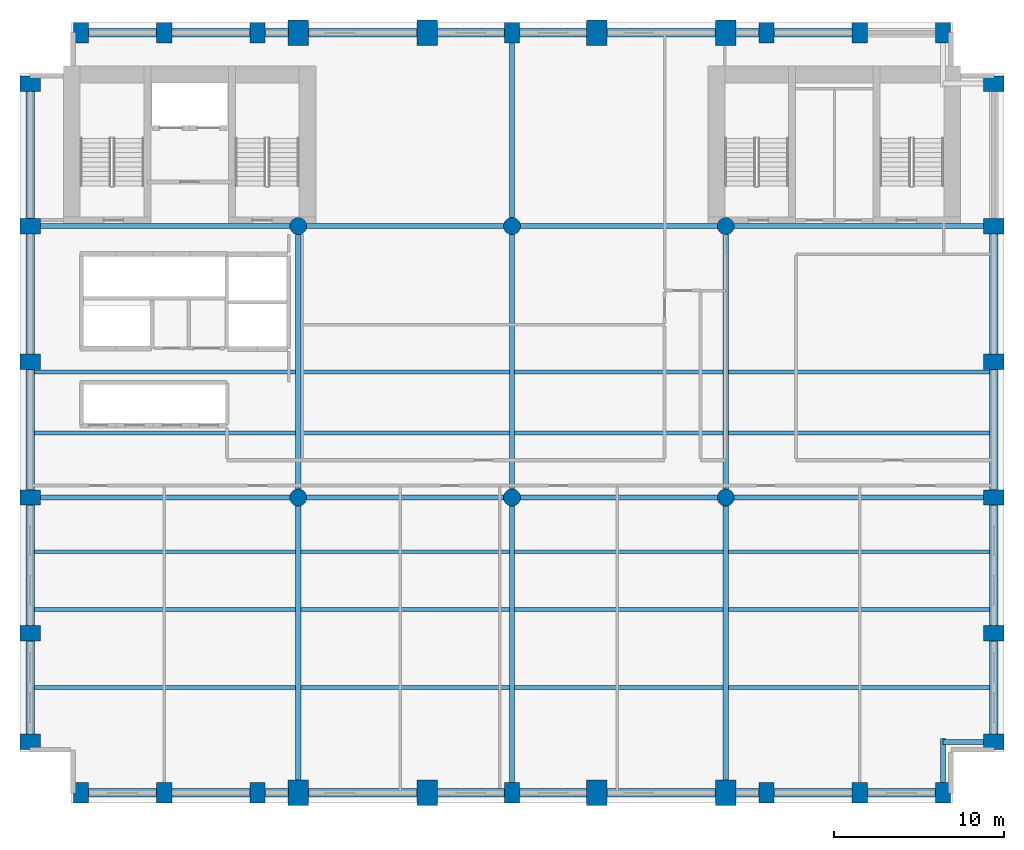
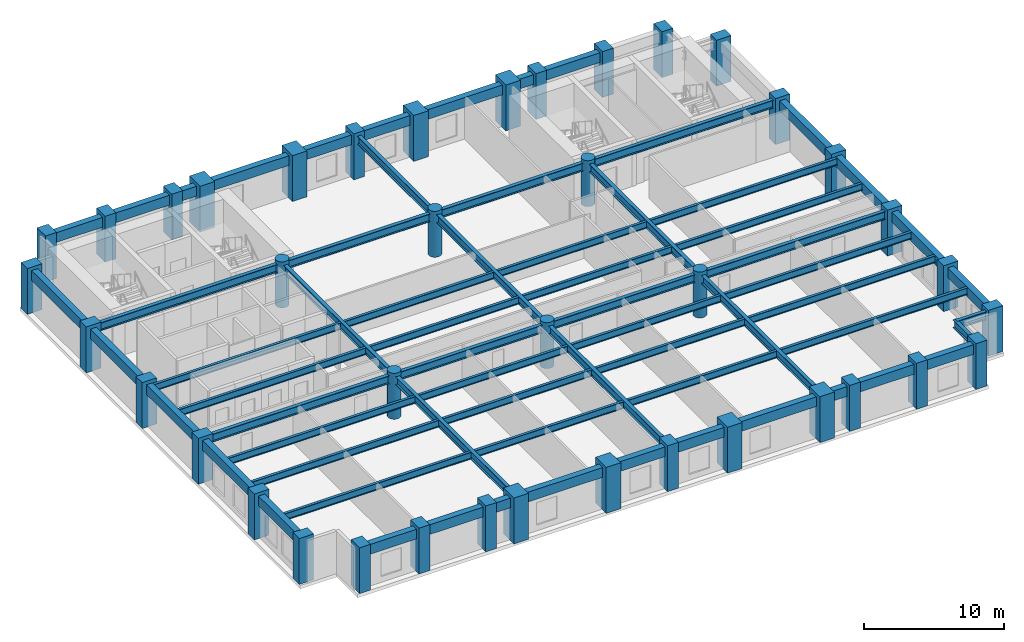
# One storey, part 1 of 8: 65 beams, 40 columns.
"""IFC4 building model written with IfcOpenShell, lengths in metres."""

from ifc_helpers import new_model, si_unit, direction, frame, origin, origin_2d, place, context, subcontext, project, spatial, rectangle, circle, i_section, extrude, material, material_profile, profile_set, type_object, element, save


model = new_model("IFC4")

# Units and contexts
model_context = context("Model", 3, precision=1e-05, world=origin(), true_north=direction((0.0, 1.0)))
body_context = subcontext(model_context, "Body", "Model", "MODEL_VIEW")
ifc_project = project(units=[si_unit("LENGTHUNIT", "METRE"), si_unit("AREAUNIT", "SQUARE_METRE"), si_unit("VOLUMEUNIT", "CUBIC_METRE"), si_unit("PLANEANGLEUNIT", "RADIAN"), si_unit("MASSUNIT", "GRAM", prefix="KILO")], contexts=[model_context])

# Site, building, storey
site_placement = place(None, origin())
site = spatial("IfcSite", under=ifc_project, at=site_placement, CompositionType="ELEMENT")
building_placement = place(site_placement, origin())
building = spatial("IfcBuilding", under=site, at=building_placement, Name="Sulina Concourse Tower", CompositionType="ELEMENT")
storey_placement = place(building_placement, frame((0.0, 0.0, 70.60009765625)))
storey = spatial("IfcBuildingStorey", under=building, at=storey_placement, Name="L17", CompositionType="ELEMENT", Elevation=70.60009765625)

# Columns
ifc_material_1 = material(Name="Concrete C60/75", Category="concrete")
ifc_material_profile_1 = material_profile(ifc_material_1, circle(Radius=0.5, at=origin_2d()), Name="RC D1000")
ifc_profile_set_1 = profile_set([ifc_material_profile_1], Name="Concrete C60/75")
column_type_1 = type_object("IfcColumnType", Name="Lower Interior Circular Column D1000", PredefinedType="COLUMN", material=ifc_profile_set_1)
for number, where, z_axis, x_axis, name in (
    (1, (16.39990234375, 18.0, 0.0), (0.0, 0.0, 1.0), (1.0, 0.0, 0.0), "L17 structural column IC-M-164"),
    (2, (16.39990234375, 34.0, 0.0), (0.0, 0.0, 1.0), (1.0, 0.0, 0.0), "L17 structural column IC-N-164"),
    (3, (29.0, 18.0, 0.0), (0.0, 0.0, 1.0), (1.0, 0.0, 0.0), "L17 structural column IC-M-290"),
    (4, (29.0, 34.0, 0.0), (0.0, 0.0, 1.0), (1.0, 0.0, 0.0), "L17 structural column IC-N-290"),
    (5, (41.60009765625, 18.0, 0.0), (0.0, 0.0, 1.0), (1.0, 0.0, 0.0), "L17 structural column IC-M-416"),
    (6, (41.60009765625, 34.0, 0.0), (0.0, 0.0, 1.0), (1.0, 0.0, 0.0), "L17 structural column IC-N-416"),
):
    element("IfcColumn", number, at=place(storey_placement, frame(where, z_axis=z_axis, x_axis=x_axis)), inside=storey, type_object=column_type_1, Name=name, PredefinedType="COLUMN", context=body_context, shape_type="SweptSolid", body=[
        extrude(circle(Radius=0.5, at=origin_2d()), origin(), (0.0, 0.0, 1.0), 4.0),
    ])
ifc_material_2 = material(Name="Concrete C80/95", Category="concrete")
ifc_material_profile_2 = material_profile(ifc_material_2, rectangle(XDim=1.199951171875, YDim=1.5, at=origin_2d()), Name="RC 1200x1500")
ifc_profile_set_2 = profile_set([ifc_material_profile_2], Name="Concrete C80/95")
column_type_2 = type_object("IfcColumnType", Name="Lower Portal End-Leg Column 1200x1500", PredefinedType="COLUMN", material=ifc_profile_set_2)
for number, where, z_axis, x_axis, name in (
    (7, (16.39990234375, 0.60009765625, 0.0), (0.0, 0.0, 1.0), (1.0, 0.0, 0.0), "L17 structural column TP-S-164"),
    (8, (16.39990234375, 45.39990234375, 0.0), (0.0, 0.0, 1.0), (1.0, 0.0, 0.0), "L17 structural column TP-N-164"),
    (9, (24.0, 0.60009765625, 0.0), (0.0, 0.0, 1.0), (1.0, 0.0, 0.0), "L17 structural column TP-S-240"),
    (10, (24.0, 45.39990234375, 0.0), (0.0, 0.0, 1.0), (1.0, 0.0, 0.0), "L17 structural column TP-N-240"),
    (11, (34.0, 0.60009765625, 0.0), (0.0, 0.0, 1.0), (1.0, 0.0, 0.0), "L17 structural column TP-S-340"),
    (12, (34.0, 45.39990234375, 0.0), (0.0, 0.0, 1.0), (1.0, 0.0, 0.0), "L17 structural column TP-N-340"),
    (13, (41.60009765625, 0.60009765625, 0.0), (0.0, 0.0, 1.0), (1.0, 0.0, 0.0), "L17 structural column TP-S-416"),
    (14, (41.60009765625, 45.39990234375, 0.0), (0.0, 0.0, 1.0), (1.0, 0.0, 0.0), "L17 structural column TP-N-416"),
):
    element("IfcColumn", number, at=place(storey_placement, frame(where, z_axis=z_axis, x_axis=x_axis)), inside=storey, type_object=column_type_2, Name=name, PredefinedType="COLUMN", context=body_context, shape_type="SweptSolid", body=[
        extrude(rectangle(XDim=1.199951171875, YDim=1.5, at=origin_2d()), origin(), (0.0, 0.0, 1.0), 4.0),
    ])
ifc_material_3 = material(Name="Precast concrete C60/75", Category="concrete")
ifc_material_profile_3 = material_profile(ifc_material_3, rectangle(XDim=0.89990234375, YDim=1.199951171875, at=origin_2d()), Name="PC 900x1200")
ifc_profile_set_3 = profile_set([ifc_material_profile_3], Name="Precast concrete C60/75")
column_type_3 = type_object("IfcColumnType", Name="Precast Tube Pier Zone 1 900x1200", PredefinedType="COLUMN", material=ifc_profile_set_3)
for number, where, z_axis, x_axis, name in (
    (15, (3.60009765625, 0.60009765625, 0.0), (0.0, 0.0, 1.0), (1.0, 0.0, 0.0), "L17 structural column TP-S-36"),
    (16, (3.60009765625, 45.39990234375, 0.0), (0.0, 0.0, 1.0), (1.0, 0.0, 0.0), "L17 structural column TP-N-36"),
    (17, (8.5, 0.60009765625, 0.0), (0.0, 0.0, 1.0), (1.0, 0.0, 0.0), "L17 structural column TP-S-85"),
    (18, (8.5, 45.39990234375, 0.0), (0.0, 0.0, 1.0), (1.0, 0.0, 0.0), "L17 structural column TP-N-85"),
    (19, (14.0, 0.60009765625, 0.0), (0.0, 0.0, 1.0), (1.0, 0.0, 0.0), "L17 structural column TP-S-140"),
    (20, (14.0, 45.39990234375, 0.0), (0.0, 0.0, 1.0), (1.0, 0.0, 0.0), "L17 structural column TP-N-140"),
    (21, (29.0, 0.60009765625, 0.0), (0.0, 0.0, 1.0), (1.0, 0.0, 0.0), "L17 structural column TP-S-290"),
    (22, (29.0, 45.39990234375, 0.0), (0.0, 0.0, 1.0), (1.0, 0.0, 0.0), "L17 structural column TP-N-290"),
    (23, (44.0, 0.60009765625, 0.0), (0.0, 0.0, 1.0), (1.0, 0.0, 0.0), "L17 structural column TP-S-440"),
    (24, (44.0, 45.39990234375, 0.0), (0.0, 0.0, 1.0), (1.0, 0.0, 0.0), "L17 structural column TP-N-440"),
    (25, (49.5, 0.60009765625, 0.0), (0.0, 0.0, 1.0), (1.0, 0.0, 0.0), "L17 structural column TP-S-495"),
    (26, (49.5, 45.39990234375, 0.0), (0.0, 0.0, 1.0), (1.0, 0.0, 0.0), "L17 structural column TP-N-495"),
    (27, (54.39990234375, 0.60009765625, 0.0), (0.0, 0.0, 1.0), (1.0, 0.0, 0.0), "L17 structural column TP-S-544"),
    (28, (54.39990234375, 45.39990234375, 0.0), (0.0, 0.0, 1.0), (1.0, 0.0, 0.0), "L17 structural column TP-N-544"),
    (29, (0.60009765625, 3.60009765625, 0.0), (0.0, 0.0, 1.0), (0.0, 1.0, 0.0), "L17 structural column TP-W-36"),
    (30, (57.39990234375, 3.60009765625, 0.0), (0.0, 0.0, 1.0), (0.0, 1.0, 0.0), "L17 structural column TP-E-36"),
    (31, (0.60009765625, 10.0, 0.0), (0.0, 0.0, 1.0), (0.0, 1.0, 0.0), "L17 structural column TP-W-100"),
    (32, (57.39990234375, 10.0, 0.0), (0.0, 0.0, 1.0), (0.0, 1.0, 0.0), "L17 structural column TP-E-100"),
    (33, (0.60009765625, 18.0, 0.0), (0.0, 0.0, 1.0), (0.0, 1.0, 0.0), "L17 structural column TP-W-180"),
    (34, (57.39990234375, 18.0, 0.0), (0.0, 0.0, 1.0), (0.0, 1.0, 0.0), "L17 structural column TP-E-180"),
    (35, (0.60009765625, 26.0, 0.0), (0.0, 0.0, 1.0), (0.0, 1.0, 0.0), "L17 structural column TP-W-260"),
    (36, (57.39990234375, 26.0, 0.0), (0.0, 0.0, 1.0), (0.0, 1.0, 0.0), "L17 structural column TP-E-260"),
    (37, (0.60009765625, 34.0, 0.0), (0.0, 0.0, 1.0), (0.0, 1.0, 0.0), "L17 structural column TP-W-340"),
    (38, (57.39990234375, 34.0, 0.0), (0.0, 0.0, 1.0), (0.0, 1.0, 0.0), "L17 structural column TP-E-340"),
    (39, (0.60009765625, 42.39990234375, 0.0), (0.0, 0.0, 1.0), (0.0, 1.0, 0.0), "L17 structural column TP-W-424"),
    (40, (57.39990234375, 42.39990234375, 0.0), (0.0, 0.0, 1.0), (0.0, 1.0, 0.0), "L17 structural column TP-E-424"),
):
    element("IfcColumn", number, at=place(storey_placement, frame(where, z_axis=z_axis, x_axis=x_axis)), inside=storey, type_object=column_type_3, Name=name, PredefinedType="COLUMN", context=body_context, shape_type="SweptSolid", body=[
        extrude(rectangle(XDim=0.89990234375, YDim=1.199951171875, at=origin_2d()), origin(), (0.0, 0.0, 1.0), 4.0),
    ])

# Beams
ifc_material_4 = material(Name="Steel S355", Category="steel")
ifc_material_profile_4 = material_profile(ifc_material_4, i_section(OverallWidth=0.219970703125, OverallDepth=0.60009765625, WebThickness=0.011962890625, FlangeThickness=0.01904296875, at=origin_2d()), Name="IPE 600")
ifc_profile_set_4 = profile_set([ifc_material_profile_4], Name="Steel S355")
beam_type_1 = type_object("IfcBeamType", Name="Composite Floor Joist IPE600", PredefinedType="JOIST", material=ifc_profile_set_4)
beam_1_placement = place(storey_placement, frame((0.85009765625, 6.800048828125, 3.39990234375), z_axis=(1.0, 0.0, 0.0), x_axis=(0.0, 1.0, 0.0)))
element("IfcBeam", 41, at=beam_1_placement, inside=storey, type_object=beam_type_1, Name="FJ-J06-1-L17", PredefinedType="JOIST", context=body_context, shape_type="SweptSolid", body=[
    extrude(i_section(OverallWidth=0.219970703125, OverallDepth=0.60009765625, WebThickness=0.011962890625, FlangeThickness=0.01904296875, at=origin_2d()), origin(), (0.0, 0.0, 1.0), 15.39990234375),
])
for number, where, z_axis, x_axis, name in (
    (42, (16.550048828125, 6.800048828125, 3.39990234375), (1.0, 0.0, 0.0), (0.0, 1.0, 0.0), "FJ-J06-2-L17"),
    (43, (29.14990234375, 6.800048828125, 3.39990234375), (1.0, 0.0, 0.0), (0.0, 1.0, 0.0), "FJ-J06-3-L17"),
):
    element("IfcBeam", number, at=place(storey_placement, frame(where, z_axis=z_axis, x_axis=x_axis)), inside=storey, type_object=beam_type_1, Name=name, PredefinedType="JOIST", context=body_context, shape_type="SweptSolid", body=[
        extrude(i_section(OverallWidth=0.219970703125, OverallDepth=0.60009765625, WebThickness=0.011962890625, FlangeThickness=0.01904296875, at=origin_2d()), origin(), (0.0, 0.0, 1.0), 12.300048828125),
    ])
for number, where, z_axis, x_axis, name in (
    (44, (41.75, 6.800048828125, 3.39990234375), (1.0, 0.0, 0.0), (0.0, 1.0, 0.0), "FJ-J06-4-L17"),
    (45, (0.85009765625, 11.39990234375, 3.39990234375), (1.0, 0.0, 0.0), (0.0, 1.0, 0.0), "FJ-J11-1-L17"),
):
    element("IfcBeam", number, at=place(storey_placement, frame(where, z_axis=z_axis, x_axis=x_axis)), inside=storey, type_object=beam_type_1, Name=name, PredefinedType="JOIST", context=body_context, shape_type="SweptSolid", body=[
        extrude(i_section(OverallWidth=0.219970703125, OverallDepth=0.60009765625, WebThickness=0.011962890625, FlangeThickness=0.01904296875, at=origin_2d()), origin(), (0.0, 0.0, 1.0), 15.39990234375),
    ])
for number, where, z_axis, x_axis, name in (
    (46, (16.550048828125, 11.39990234375, 3.39990234375), (1.0, 0.0, 0.0), (0.0, 1.0, 0.0), "FJ-J11-2-L17"),
    (47, (29.14990234375, 11.39990234375, 3.39990234375), (1.0, 0.0, 0.0), (0.0, 1.0, 0.0), "FJ-J11-3-L17"),
):
    element("IfcBeam", number, at=place(storey_placement, frame(where, z_axis=z_axis, x_axis=x_axis)), inside=storey, type_object=beam_type_1, Name=name, PredefinedType="JOIST", context=body_context, shape_type="SweptSolid", body=[
        extrude(i_section(OverallWidth=0.219970703125, OverallDepth=0.60009765625, WebThickness=0.011962890625, FlangeThickness=0.01904296875, at=origin_2d()), origin(), (0.0, 0.0, 1.0), 12.300048828125),
    ])
for number, where, z_axis, x_axis, name in (
    (48, (41.75, 11.39990234375, 3.39990234375), (1.0, 0.0, 0.0), (0.0, 1.0, 0.0), "FJ-J11-4-L17"),
    (49, (0.85009765625, 14.800048828125, 3.39990234375), (1.0, 0.0, 0.0), (0.0, 1.0, 0.0), "FJ-J15-1-L17"),
):
    element("IfcBeam", number, at=place(storey_placement, frame(where, z_axis=z_axis, x_axis=x_axis)), inside=storey, type_object=beam_type_1, Name=name, PredefinedType="JOIST", context=body_context, shape_type="SweptSolid", body=[
        extrude(i_section(OverallWidth=0.219970703125, OverallDepth=0.60009765625, WebThickness=0.011962890625, FlangeThickness=0.01904296875, at=origin_2d()), origin(), (0.0, 0.0, 1.0), 15.39990234375),
    ])
for number, where, z_axis, x_axis, name in (
    (50, (16.550048828125, 14.800048828125, 3.39990234375), (1.0, 0.0, 0.0), (0.0, 1.0, 0.0), "FJ-J15-2-L17"),
    (51, (29.14990234375, 14.800048828125, 3.39990234375), (1.0, 0.0, 0.0), (0.0, 1.0, 0.0), "FJ-J15-3-L17"),
):
    element("IfcBeam", number, at=place(storey_placement, frame(where, z_axis=z_axis, x_axis=x_axis)), inside=storey, type_object=beam_type_1, Name=name, PredefinedType="JOIST", context=body_context, shape_type="SweptSolid", body=[
        extrude(i_section(OverallWidth=0.219970703125, OverallDepth=0.60009765625, WebThickness=0.011962890625, FlangeThickness=0.01904296875, at=origin_2d()), origin(), (0.0, 0.0, 1.0), 12.300048828125),
    ])
for number, where, z_axis, x_axis, name in (
    (52, (41.75, 14.800048828125, 3.39990234375), (1.0, 0.0, 0.0), (0.0, 1.0, 0.0), "FJ-J15-4-L17"),
    (53, (0.85009765625, 21.800048828125, 3.39990234375), (1.0, 0.0, 0.0), (0.0, 1.0, 0.0), "FJ-J22-1-L17"),
):
    element("IfcBeam", number, at=place(storey_placement, frame(where, z_axis=z_axis, x_axis=x_axis)), inside=storey, type_object=beam_type_1, Name=name, PredefinedType="JOIST", context=body_context, shape_type="SweptSolid", body=[
        extrude(i_section(OverallWidth=0.219970703125, OverallDepth=0.60009765625, WebThickness=0.011962890625, FlangeThickness=0.01904296875, at=origin_2d()), origin(), (0.0, 0.0, 1.0), 15.39990234375),
    ])
for number, where, z_axis, x_axis, name in (
    (54, (16.550048828125, 21.800048828125, 3.39990234375), (1.0, 0.0, 0.0), (0.0, 1.0, 0.0), "FJ-J22-2-L17"),
    (55, (29.14990234375, 21.800048828125, 3.39990234375), (1.0, 0.0, 0.0), (0.0, 1.0, 0.0), "FJ-J22-3-L17"),
):
    element("IfcBeam", number, at=place(storey_placement, frame(where, z_axis=z_axis, x_axis=x_axis)), inside=storey, type_object=beam_type_1, Name=name, PredefinedType="JOIST", context=body_context, shape_type="SweptSolid", body=[
        extrude(i_section(OverallWidth=0.219970703125, OverallDepth=0.60009765625, WebThickness=0.011962890625, FlangeThickness=0.01904296875, at=origin_2d()), origin(), (0.0, 0.0, 1.0), 12.300048828125),
    ])
for number, where, z_axis, x_axis, name in (
    (56, (41.75, 21.800048828125, 3.39990234375), (1.0, 0.0, 0.0), (0.0, 1.0, 0.0), "FJ-J22-4-L17"),
    (57, (0.85009765625, 25.39990234375, 3.39990234375), (1.0, 0.0, 0.0), (0.0, 1.0, 0.0), "FJ-J25-1-L17"),
):
    element("IfcBeam", number, at=place(storey_placement, frame(where, z_axis=z_axis, x_axis=x_axis)), inside=storey, type_object=beam_type_1, Name=name, PredefinedType="JOIST", context=body_context, shape_type="SweptSolid", body=[
        extrude(i_section(OverallWidth=0.219970703125, OverallDepth=0.60009765625, WebThickness=0.011962890625, FlangeThickness=0.01904296875, at=origin_2d()), origin(), (0.0, 0.0, 1.0), 15.39990234375),
    ])
for number, where, z_axis, x_axis, name in (
    (58, (16.550048828125, 25.39990234375, 3.39990234375), (1.0, 0.0, 0.0), (0.0, 1.0, 0.0), "FJ-J25-2-L17"),
    (59, (29.14990234375, 25.39990234375, 3.39990234375), (1.0, 0.0, 0.0), (0.0, 1.0, 0.0), "FJ-J25-3-L17"),
):
    element("IfcBeam", number, at=place(storey_placement, frame(where, z_axis=z_axis, x_axis=x_axis)), inside=storey, type_object=beam_type_1, Name=name, PredefinedType="JOIST", context=body_context, shape_type="SweptSolid", body=[
        extrude(i_section(OverallWidth=0.219970703125, OverallDepth=0.60009765625, WebThickness=0.011962890625, FlangeThickness=0.01904296875, at=origin_2d()), origin(), (0.0, 0.0, 1.0), 12.300048828125),
    ])
beam_2_placement = place(storey_placement, frame((41.75, 25.39990234375, 3.39990234375), z_axis=(1.0, 0.0, 0.0), x_axis=(0.0, 1.0, 0.0)))
element("IfcBeam", 60, at=beam_2_placement, inside=storey, type_object=beam_type_1, Name="FJ-J25-4-L17", PredefinedType="JOIST", context=body_context, shape_type="SweptSolid", body=[
    extrude(i_section(OverallWidth=0.219970703125, OverallDepth=0.60009765625, WebThickness=0.011962890625, FlangeThickness=0.01904296875, at=origin_2d()), origin(), (0.0, 0.0, 1.0), 15.39990234375),
])
ifc_material_5 = material(Name="Steel S355", Category="steel")
ifc_material_profile_5 = material_profile(ifc_material_5, i_section(OverallWidth=0.300048828125, OverallDepth=0.699951171875, WebThickness=0.01708984375, FlangeThickness=0.031982421875, at=origin_2d()), Name="HE 700 B")
ifc_profile_set_5 = profile_set([ifc_material_profile_5], Name="Steel S355")
beam_type_2 = type_object("IfcBeamType", Name="Floor Primary Girder Zone 1 HE700B", PredefinedType="BEAM", material=ifc_profile_set_5)
beam_3_placement = place(storey_placement, frame((54.39990234375, 3.60009765625, 3.349853515625), z_axis=(1.0, 0.0, 0.0), x_axis=(0.0, 1.0, 0.0)))
element("IfcBeam", 61, at=beam_3_placement, inside=storey, type_object=beam_type_2, Name="TIE-SE-L17", PredefinedType="BEAM", context=body_context, shape_type="SweptSolid", body=[
    extrude(i_section(OverallWidth=0.300048828125, OverallDepth=0.699951171875, WebThickness=0.01708984375, FlangeThickness=0.031982421875, at=origin_2d()), origin(), (0.0, 0.0, 1.0), 2.570068359375),
])
beam_4_placement = place(storey_placement, frame((54.39990234375, 1.030029296875, 3.349853515625), z_axis=(0.0, 1.0, 0.0), x_axis=(-1.0, 0.0, 0.0)))
element("IfcBeam", 62, at=beam_4_placement, inside=storey, type_object=beam_type_2, Name="TIE-SES-L17", PredefinedType="BEAM", context=body_context, shape_type="SweptSolid", body=[
    extrude(i_section(OverallWidth=0.300048828125, OverallDepth=0.699951171875, WebThickness=0.01708984375, FlangeThickness=0.031982421875, at=origin_2d()), origin(), (0.0, 0.0, 1.0), 2.77001953125),
])
beam_5_placement = place(storey_placement, frame((1.030029296875, 18.0, 3.349853515625), z_axis=(1.0, 0.0, 0.0), x_axis=(0.0, 1.0, 0.0)))
element("IfcBeam", 63, at=beam_5_placement, inside=storey, type_object=beam_type_2, Name="FG-EW1-L17", PredefinedType="BEAM", context=body_context, shape_type="SweptSolid", body=[
    extrude(i_section(OverallWidth=0.300048828125, OverallDepth=0.699951171875, WebThickness=0.01708984375, FlangeThickness=0.031982421875, at=origin_2d()), origin(), (0.0, 0.0, 1.0), 14.889892578125),
])
for number, where, z_axis, x_axis, name in (
    (64, (16.8798828125, 18.0, 3.349853515625), (1.0, 0.0, 0.0), (0.0, 1.0, 0.0), "FG-EW2-L17"),
    (65, (29.47998046875, 18.0, 3.349853515625), (1.0, 0.0, 0.0), (0.0, 1.0, 0.0), "FG-EW3-L17"),
):
    element("IfcBeam", number, at=place(storey_placement, frame(where, z_axis=z_axis, x_axis=x_axis)), inside=storey, type_object=beam_type_2, Name=name, PredefinedType="BEAM", context=body_context, shape_type="SweptSolid", body=[
        extrude(i_section(OverallWidth=0.300048828125, OverallDepth=0.699951171875, WebThickness=0.01708984375, FlangeThickness=0.031982421875, at=origin_2d()), origin(), (0.0, 0.0, 1.0), 11.64013671875),
    ])
for number, where, z_axis, x_axis, name in (
    (66, (42.080078125, 18.0, 3.349853515625), (1.0, 0.0, 0.0), (0.0, 1.0, 0.0), "FG-EW4-L17"),
    (67, (1.030029296875, 34.0, 3.349853515625), (1.0, 0.0, 0.0), (0.0, 1.0, 0.0), "FG-EWN1-L17"),
):
    element("IfcBeam", number, at=place(storey_placement, frame(where, z_axis=z_axis, x_axis=x_axis)), inside=storey, type_object=beam_type_2, Name=name, PredefinedType="BEAM", context=body_context, shape_type="SweptSolid", body=[
        extrude(i_section(OverallWidth=0.300048828125, OverallDepth=0.699951171875, WebThickness=0.01708984375, FlangeThickness=0.031982421875, at=origin_2d()), origin(), (0.0, 0.0, 1.0), 14.889892578125),
    ])
for number, where, z_axis, x_axis, name in (
    (68, (16.8798828125, 34.0, 3.349853515625), (1.0, 0.0, 0.0), (0.0, 1.0, 0.0), "FG-EWN2-L17"),
    (69, (29.47998046875, 34.0, 3.349853515625), (1.0, 0.0, 0.0), (0.0, 1.0, 0.0), "FG-EWN3-L17"),
):
    element("IfcBeam", number, at=place(storey_placement, frame(where, z_axis=z_axis, x_axis=x_axis)), inside=storey, type_object=beam_type_2, Name=name, PredefinedType="BEAM", context=body_context, shape_type="SweptSolid", body=[
        extrude(i_section(OverallWidth=0.300048828125, OverallDepth=0.699951171875, WebThickness=0.01708984375, FlangeThickness=0.031982421875, at=origin_2d()), origin(), (0.0, 0.0, 1.0), 11.64013671875),
    ])
beam_6_placement = place(storey_placement, frame((42.080078125, 34.0, 3.349853515625), z_axis=(1.0, 0.0, 0.0), x_axis=(0.0, 1.0, 0.0)))
element("IfcBeam", 70, at=beam_6_placement, inside=storey, type_object=beam_type_2, Name="FG-EWN4-L17", PredefinedType="BEAM", context=body_context, shape_type="SweptSolid", body=[
    extrude(i_section(OverallWidth=0.300048828125, OverallDepth=0.699951171875, WebThickness=0.01708984375, FlangeThickness=0.031982421875, at=origin_2d()), origin(), (0.0, 0.0, 1.0), 14.889892578125),
])
beam_7_placement = place(storey_placement, frame((16.39990234375, 1.179931640625, 3.349853515625), z_axis=(0.0, 1.0, 0.0), x_axis=(-1.0, 0.0, 0.0)))
element("IfcBeam", 71, at=beam_7_placement, inside=storey, type_object=beam_type_2, Name="FG-NSA-16-L17", PredefinedType="BEAM", context=body_context, shape_type="SweptSolid", body=[
    extrude(i_section(OverallWidth=0.300048828125, OverallDepth=0.699951171875, WebThickness=0.01708984375, FlangeThickness=0.031982421875, at=origin_2d()), origin(), (0.0, 0.0, 1.0), 16.340087890625),
])
beam_8_placement = place(storey_placement, frame((16.39990234375, 18.47998046875, 3.349853515625), z_axis=(0.0, 1.0, 0.0), x_axis=(-1.0, 0.0, 0.0)))
element("IfcBeam", 72, at=beam_8_placement, inside=storey, type_object=beam_type_2, Name="FG-NSB-16-L17", PredefinedType="BEAM", context=body_context, shape_type="SweptSolid", body=[
    extrude(i_section(OverallWidth=0.300048828125, OverallDepth=0.699951171875, WebThickness=0.01708984375, FlangeThickness=0.031982421875, at=origin_2d()), origin(), (0.0, 0.0, 1.0), 15.0400390625),
])
beam_9_placement = place(storey_placement, frame((29.0, 1.030029296875, 3.349853515625), z_axis=(0.0, 1.0, 0.0), x_axis=(-1.0, 0.0, 0.0)))
element("IfcBeam", 73, at=beam_9_placement, inside=storey, type_object=beam_type_2, Name="FG-NSA-29-L17", PredefinedType="BEAM", context=body_context, shape_type="SweptSolid", body=[
    extrude(i_section(OverallWidth=0.300048828125, OverallDepth=0.699951171875, WebThickness=0.01708984375, FlangeThickness=0.031982421875, at=origin_2d()), origin(), (0.0, 0.0, 1.0), 16.489990234375),
])
beam_10_placement = place(storey_placement, frame((29.0, 18.47998046875, 3.349853515625), z_axis=(0.0, 1.0, 0.0), x_axis=(-1.0, 0.0, 0.0)))
element("IfcBeam", 74, at=beam_10_placement, inside=storey, type_object=beam_type_2, Name="FG-NSB-29-L17", PredefinedType="BEAM", context=body_context, shape_type="SweptSolid", body=[
    extrude(i_section(OverallWidth=0.300048828125, OverallDepth=0.699951171875, WebThickness=0.01708984375, FlangeThickness=0.031982421875, at=origin_2d()), origin(), (0.0, 0.0, 1.0), 15.0400390625),
])
beam_11_placement = place(storey_placement, frame((29.0, 34.47998046875, 3.349853515625), z_axis=(0.0, 1.0, 0.0), x_axis=(-1.0, 0.0, 0.0)))
element("IfcBeam", 75, at=beam_11_placement, inside=storey, type_object=beam_type_2, Name="FG-NSC-29-L17", PredefinedType="BEAM", context=body_context, shape_type="SweptSolid", body=[
    extrude(i_section(OverallWidth=0.300048828125, OverallDepth=0.699951171875, WebThickness=0.01708984375, FlangeThickness=0.031982421875, at=origin_2d()), origin(), (0.0, 0.0, 1.0), 10.489990234375),
])
beam_12_placement = place(storey_placement, frame((41.60009765625, 1.179931640625, 3.349853515625), z_axis=(0.0, 1.0, 0.0), x_axis=(-1.0, 0.0, 0.0)))
element("IfcBeam", 76, at=beam_12_placement, inside=storey, type_object=beam_type_2, Name="FG-NSA-41-L17", PredefinedType="BEAM", context=body_context, shape_type="SweptSolid", body=[
    extrude(i_section(OverallWidth=0.300048828125, OverallDepth=0.699951171875, WebThickness=0.01708984375, FlangeThickness=0.031982421875, at=origin_2d()), origin(), (0.0, 0.0, 1.0), 16.340087890625),
])
beam_13_placement = place(storey_placement, frame((41.60009765625, 18.47998046875, 3.349853515625), z_axis=(0.0, 1.0, 0.0), x_axis=(-1.0, 0.0, 0.0)))
element("IfcBeam", 77, at=beam_13_placement, inside=storey, type_object=beam_type_2, Name="FG-NSB-41-L17", PredefinedType="BEAM", context=body_context, shape_type="SweptSolid", body=[
    extrude(i_section(OverallWidth=0.300048828125, OverallDepth=0.699951171875, WebThickness=0.01708984375, FlangeThickness=0.031982421875, at=origin_2d()), origin(), (0.0, 0.0, 1.0), 15.0400390625),
])
ifc_material_6 = material(Name="Precast concrete C50/60", Category="concrete")
ifc_material_profile_6 = material_profile(ifc_material_6, rectangle(XDim=0.5, YDim=0.85009765625, at=origin_2d()), Name="RC 500x850")
ifc_profile_set_6 = profile_set([ifc_material_profile_6], Name="Precast concrete C50/60")
beam_type_3 = type_object("IfcBeamType", Name="Lower Precast Spandrel Edge Beam 500x850", PredefinedType="BEAM", material=ifc_profile_set_6)
beam_14_placement = place(storey_placement, frame((4.030029296875, 0.60009765625, 3.27490234375), z_axis=(1.0, 0.0, 0.0), x_axis=(0.0, 1.0, 0.0)))
element("IfcBeam", 78, at=beam_14_placement, inside=storey, type_object=beam_type_3, Name="SP-S1-L17", PredefinedType="BEAM", context=body_context, shape_type="SweptSolid", body=[
    extrude(rectangle(XDim=0.5, YDim=0.85009765625, at=origin_2d()), origin(), (0.0, 0.0, 1.0), 4.0400390625),
])
beam_15_placement = place(storey_placement, frame((8.929931640625, 0.60009765625, 3.27490234375), z_axis=(1.0, 0.0, 0.0), x_axis=(0.0, 1.0, 0.0)))
element("IfcBeam", 79, at=beam_15_placement, inside=storey, type_object=beam_type_3, Name="SP-S2-L17", PredefinedType="BEAM", context=body_context, shape_type="SweptSolid", body=[
    extrude(rectangle(XDim=0.5, YDim=0.85009765625, at=origin_2d()), origin(), (0.0, 0.0, 1.0), 4.64013671875),
])
beam_16_placement = place(storey_placement, frame((14.429931640625, 0.60009765625, 3.27490234375), z_axis=(1.0, 0.0, 0.0), x_axis=(0.0, 1.0, 0.0)))
element("IfcBeam", 80, at=beam_16_placement, inside=storey, type_object=beam_type_3, Name="SP-S3-L17", PredefinedType="BEAM", context=body_context, shape_type="SweptSolid", body=[
    extrude(rectangle(XDim=0.5, YDim=0.85009765625, at=origin_2d()), origin(), (0.0, 0.0, 1.0), 1.39013671875),
])
beam_17_placement = place(storey_placement, frame((16.97998046875, 0.60009765625, 3.27490234375), z_axis=(1.0, 0.0, 0.0), x_axis=(0.0, 1.0, 0.0)))
element("IfcBeam", 81, at=beam_17_placement, inside=storey, type_object=beam_type_3, Name="SP-S4-L17", PredefinedType="BEAM", context=body_context, shape_type="SweptSolid", body=[
    extrude(rectangle(XDim=0.5, YDim=0.85009765625, at=origin_2d()), origin(), (0.0, 0.0, 1.0), 6.43994140625),
])
for number, where, z_axis, x_axis, name in (
    (82, (24.580078125, 0.60009765625, 3.27490234375), (1.0, 0.0, 0.0), (0.0, 1.0, 0.0), "SP-S5-L17"),
    (83, (29.429931640625, 0.60009765625, 3.27490234375), (1.0, 0.0, 0.0), (0.0, 1.0, 0.0), "SP-S6-L17"),
):
    element("IfcBeam", number, at=place(storey_placement, frame(where, z_axis=z_axis, x_axis=x_axis)), inside=storey, type_object=beam_type_3, Name=name, PredefinedType="BEAM", context=body_context, shape_type="SweptSolid", body=[
        extrude(rectangle(XDim=0.5, YDim=0.85009765625, at=origin_2d()), origin(), (0.0, 0.0, 1.0), 3.989990234375),
    ])
beam_18_placement = place(storey_placement, frame((34.580078125, 0.60009765625, 3.27490234375), z_axis=(1.0, 0.0, 0.0), x_axis=(0.0, 1.0, 0.0)))
element("IfcBeam", 84, at=beam_18_placement, inside=storey, type_object=beam_type_3, Name="SP-S7-L17", PredefinedType="BEAM", context=body_context, shape_type="SweptSolid", body=[
    extrude(rectangle(XDim=0.5, YDim=0.85009765625, at=origin_2d()), origin(), (0.0, 0.0, 1.0), 6.43994140625),
])
beam_19_placement = place(storey_placement, frame((42.179931640625, 0.60009765625, 3.27490234375), z_axis=(1.0, 0.0, 0.0), x_axis=(0.0, 1.0, 0.0)))
element("IfcBeam", 85, at=beam_19_placement, inside=storey, type_object=beam_type_3, Name="SP-S8-L17", PredefinedType="BEAM", context=body_context, shape_type="SweptSolid", body=[
    extrude(rectangle(XDim=0.5, YDim=0.85009765625, at=origin_2d()), origin(), (0.0, 0.0, 1.0), 1.39013671875),
])
beam_20_placement = place(storey_placement, frame((44.429931640625, 0.60009765625, 3.27490234375), z_axis=(1.0, 0.0, 0.0), x_axis=(0.0, 1.0, 0.0)))
element("IfcBeam", 86, at=beam_20_placement, inside=storey, type_object=beam_type_3, Name="SP-S9-L17", PredefinedType="BEAM", context=body_context, shape_type="SweptSolid", body=[
    extrude(rectangle(XDim=0.5, YDim=0.85009765625, at=origin_2d()), origin(), (0.0, 0.0, 1.0), 4.64013671875),
])
for number, where, z_axis, x_axis, name in (
    (87, (49.929931640625, 0.60009765625, 3.27490234375), (1.0, 0.0, 0.0), (0.0, 1.0, 0.0), "SP-S10-L17"),
    (88, (4.030029296875, 45.39990234375, 3.27490234375), (1.0, 0.0, 0.0), (0.0, 1.0, 0.0), "SP-N1-L17"),
):
    element("IfcBeam", number, at=place(storey_placement, frame(where, z_axis=z_axis, x_axis=x_axis)), inside=storey, type_object=beam_type_3, Name=name, PredefinedType="BEAM", context=body_context, shape_type="SweptSolid", body=[
        extrude(rectangle(XDim=0.5, YDim=0.85009765625, at=origin_2d()), origin(), (0.0, 0.0, 1.0), 4.0400390625),
    ])
beam_21_placement = place(storey_placement, frame((8.929931640625, 45.39990234375, 3.27490234375), z_axis=(1.0, 0.0, 0.0), x_axis=(0.0, 1.0, 0.0)))
element("IfcBeam", 89, at=beam_21_placement, inside=storey, type_object=beam_type_3, Name="SP-N2-L17", PredefinedType="BEAM", context=body_context, shape_type="SweptSolid", body=[
    extrude(rectangle(XDim=0.5, YDim=0.85009765625, at=origin_2d()), origin(), (0.0, 0.0, 1.0), 4.64013671875),
])
beam_22_placement = place(storey_placement, frame((14.429931640625, 45.39990234375, 3.27490234375), z_axis=(1.0, 0.0, 0.0), x_axis=(0.0, 1.0, 0.0)))
element("IfcBeam", 90, at=beam_22_placement, inside=storey, type_object=beam_type_3, Name="SP-N3-L17", PredefinedType="BEAM", context=body_context, shape_type="SweptSolid", body=[
    extrude(rectangle(XDim=0.5, YDim=0.85009765625, at=origin_2d()), origin(), (0.0, 0.0, 1.0), 1.39013671875),
])
beam_23_placement = place(storey_placement, frame((16.97998046875, 45.39990234375, 3.27490234375), z_axis=(1.0, 0.0, 0.0), x_axis=(0.0, 1.0, 0.0)))
element("IfcBeam", 91, at=beam_23_placement, inside=storey, type_object=beam_type_3, Name="SP-N4-L17", PredefinedType="BEAM", context=body_context, shape_type="SweptSolid", body=[
    extrude(rectangle(XDim=0.5, YDim=0.85009765625, at=origin_2d()), origin(), (0.0, 0.0, 1.0), 6.43994140625),
])
for number, where, z_axis, x_axis, name in (
    (92, (24.580078125, 45.39990234375, 3.27490234375), (1.0, 0.0, 0.0), (0.0, 1.0, 0.0), "SP-N5-L17"),
    (93, (29.429931640625, 45.39990234375, 3.27490234375), (1.0, 0.0, 0.0), (0.0, 1.0, 0.0), "SP-N6-L17"),
):
    element("IfcBeam", number, at=place(storey_placement, frame(where, z_axis=z_axis, x_axis=x_axis)), inside=storey, type_object=beam_type_3, Name=name, PredefinedType="BEAM", context=body_context, shape_type="SweptSolid", body=[
        extrude(rectangle(XDim=0.5, YDim=0.85009765625, at=origin_2d()), origin(), (0.0, 0.0, 1.0), 3.989990234375),
    ])
beam_24_placement = place(storey_placement, frame((34.580078125, 45.39990234375, 3.27490234375), z_axis=(1.0, 0.0, 0.0), x_axis=(0.0, 1.0, 0.0)))
element("IfcBeam", 94, at=beam_24_placement, inside=storey, type_object=beam_type_3, Name="SP-N7-L17", PredefinedType="BEAM", context=body_context, shape_type="SweptSolid", body=[
    extrude(rectangle(XDim=0.5, YDim=0.85009765625, at=origin_2d()), origin(), (0.0, 0.0, 1.0), 6.43994140625),
])
beam_25_placement = place(storey_placement, frame((42.179931640625, 45.39990234375, 3.27490234375), z_axis=(1.0, 0.0, 0.0), x_axis=(0.0, 1.0, 0.0)))
element("IfcBeam", 95, at=beam_25_placement, inside=storey, type_object=beam_type_3, Name="SP-N8-L17", PredefinedType="BEAM", context=body_context, shape_type="SweptSolid", body=[
    extrude(rectangle(XDim=0.5, YDim=0.85009765625, at=origin_2d()), origin(), (0.0, 0.0, 1.0), 1.39013671875),
])
beam_26_placement = place(storey_placement, frame((44.429931640625, 45.39990234375, 3.27490234375), z_axis=(1.0, 0.0, 0.0), x_axis=(0.0, 1.0, 0.0)))
element("IfcBeam", 96, at=beam_26_placement, inside=storey, type_object=beam_type_3, Name="SP-N9-L17", PredefinedType="BEAM", context=body_context, shape_type="SweptSolid", body=[
    extrude(rectangle(XDim=0.5, YDim=0.85009765625, at=origin_2d()), origin(), (0.0, 0.0, 1.0), 4.64013671875),
])
beam_27_placement = place(storey_placement, frame((0.60009765625, 4.030029296875, 3.27490234375), z_axis=(0.0, 1.0, 0.0), x_axis=(-1.0, 0.0, 0.0)))
element("IfcBeam", 97, at=beam_27_placement, inside=storey, type_object=beam_type_3, Name="SP-W1-L17", PredefinedType="BEAM", context=body_context, shape_type="SweptSolid", body=[
    extrude(rectangle(XDim=0.5, YDim=0.85009765625, at=origin_2d()), origin(), (0.0, 0.0, 1.0), 5.5400390625),
])
for number, where, z_axis, x_axis, name in (
    (98, (0.60009765625, 10.429931640625, 3.27490234375), (0.0, 1.0, 0.0), (-1.0, 0.0, 0.0), "SP-W2-L17"),
    (99, (0.60009765625, 18.429931640625, 3.27490234375), (0.0, 1.0, 0.0), (-1.0, 0.0, 0.0), "SP-W3-L17"),
    (100, (0.60009765625, 26.429931640625, 3.27490234375), (0.0, 1.0, 0.0), (-1.0, 0.0, 0.0), "SP-W4-L17"),
):
    element("IfcBeam", number, at=place(storey_placement, frame(where, z_axis=z_axis, x_axis=x_axis)), inside=storey, type_object=beam_type_3, Name=name, PredefinedType="BEAM", context=body_context, shape_type="SweptSolid", body=[
        extrude(rectangle(XDim=0.5, YDim=0.85009765625, at=origin_2d()), origin(), (0.0, 0.0, 1.0), 7.14013671875),
    ])
beam_28_placement = place(storey_placement, frame((0.60009765625, 34.429931640625, 3.27490234375), z_axis=(0.0, 1.0, 0.0), x_axis=(-1.0, 0.0, 0.0)))
element("IfcBeam", 101, at=beam_28_placement, inside=storey, type_object=beam_type_3, Name="SP-W5-L17", PredefinedType="BEAM", context=body_context, shape_type="SweptSolid", body=[
    extrude(rectangle(XDim=0.5, YDim=0.85009765625, at=origin_2d()), origin(), (0.0, 0.0, 1.0), 7.5400390625),
])
beam_29_placement = place(storey_placement, frame((57.39990234375, 4.030029296875, 3.27490234375), z_axis=(0.0, 1.0, 0.0), x_axis=(-1.0, 0.0, 0.0)))
element("IfcBeam", 102, at=beam_29_placement, inside=storey, type_object=beam_type_3, Name="SP-E1-L17", PredefinedType="BEAM", context=body_context, shape_type="SweptSolid", body=[
    extrude(rectangle(XDim=0.5, YDim=0.85009765625, at=origin_2d()), origin(), (0.0, 0.0, 1.0), 5.5400390625),
])
for number, where, z_axis, x_axis, name in (
    (103, (57.39990234375, 10.429931640625, 3.27490234375), (0.0, 1.0, 0.0), (-1.0, 0.0, 0.0), "SP-E2-L17"),
    (104, (57.39990234375, 18.429931640625, 3.27490234375), (0.0, 1.0, 0.0), (-1.0, 0.0, 0.0), "SP-E3-L17"),
    (105, (57.39990234375, 26.429931640625, 3.27490234375), (0.0, 1.0, 0.0), (-1.0, 0.0, 0.0), "SP-E4-L17"),
):
    element("IfcBeam", number, at=place(storey_placement, frame(where, z_axis=z_axis, x_axis=x_axis)), inside=storey, type_object=beam_type_3, Name=name, PredefinedType="BEAM", context=body_context, shape_type="SweptSolid", body=[
        extrude(rectangle(XDim=0.5, YDim=0.85009765625, at=origin_2d()), origin(), (0.0, 0.0, 1.0), 7.14013671875),
    ])

save(model, "model.ifc")
